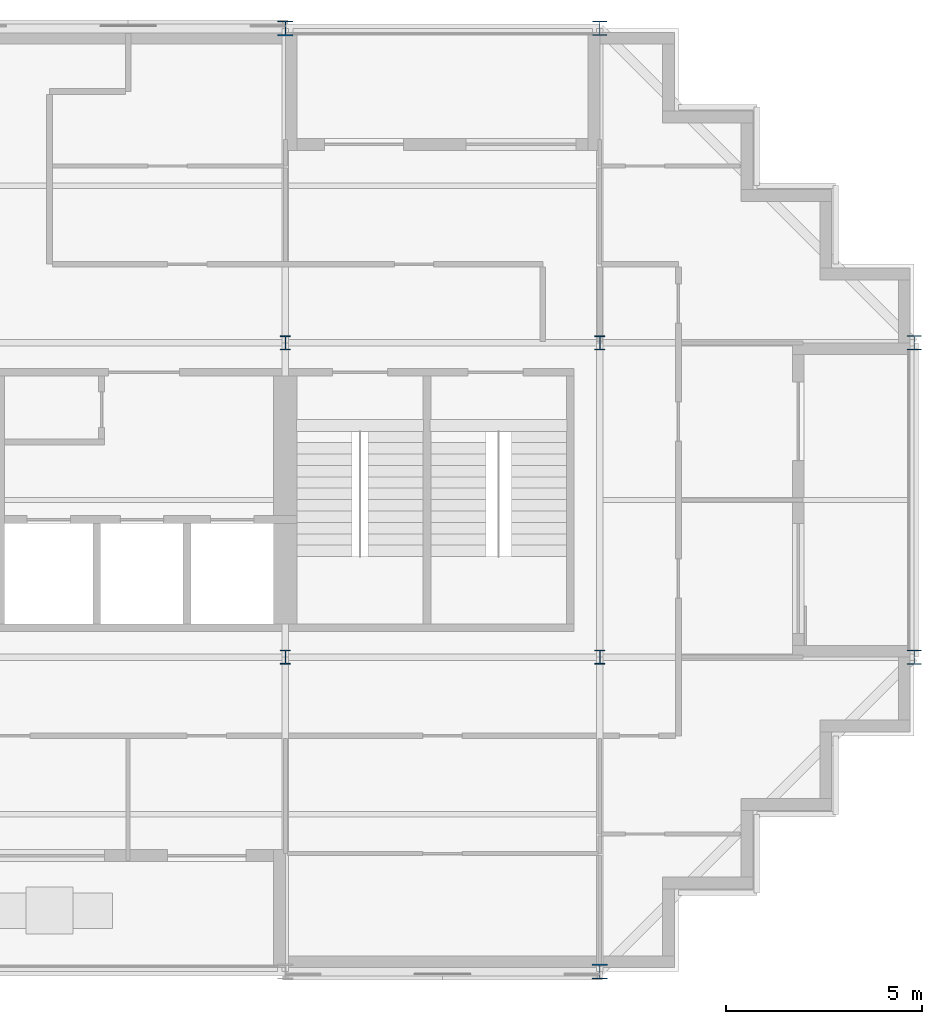
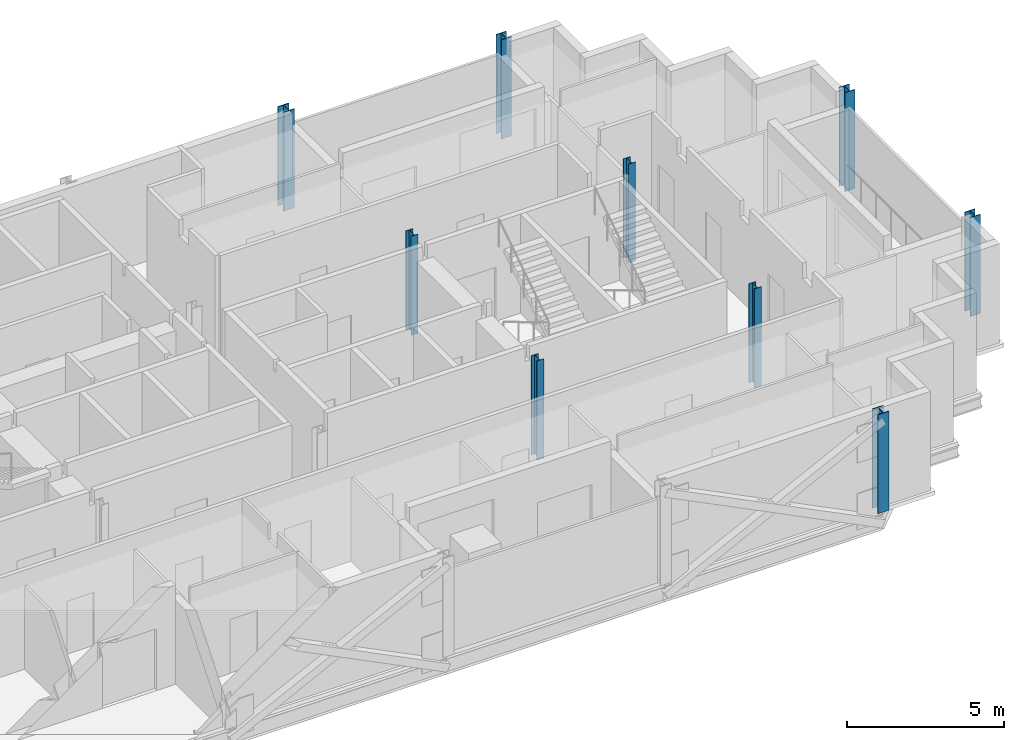
# One storey, part 2 of 10: 9 columns.
"""IFC4 building model written with IfcOpenShell, lengths in metres."""

from ifc_helpers import new_model, si_unit, direction, frame, origin, origin_2d, place, context, subcontext, project, spatial, i_section, extrude, material, material_profile, profile_set, type_object, element, save


model = new_model("IFC4")

# Units and contexts
model_context = context("Model", 3, precision=1e-05, world=origin(), true_north=direction((0.0, 1.0)))
body_context = subcontext(model_context, "Body", "Model", "MODEL_VIEW")
ifc_project = project(units=[si_unit("LENGTHUNIT", "METRE"), si_unit("AREAUNIT", "SQUARE_METRE"), si_unit("VOLUMEUNIT", "CUBIC_METRE"), si_unit("PLANEANGLEUNIT", "RADIAN"), si_unit("MASSUNIT", "GRAM", prefix="KILO")], contexts=[model_context])

# Site, building, storey
site_placement = place(None, origin())
site = spatial("IfcSite", under=ifc_project, at=site_placement, CompositionType="ELEMENT")
building_placement = place(site_placement, origin())
building = spatial("IfcBuilding", under=site, at=building_placement, Name="Immortelle Media Tower", CompositionType="ELEMENT")
storey_placement = place(building_placement, frame((0.0, 0.0, 283.0)))
storey = spatial("IfcBuildingStorey", under=building, at=storey_placement, Name="L62", CompositionType="ELEMENT", Elevation=283.0)

# Columns
ifc_material = material(Name="Steel ASTM A992 Gr 50", Category="steel")
ifc_material_profile_1 = material_profile(ifc_material, i_section(OverallWidth=0.373046875, OverallDepth=0.367919921875, WebThickness=0.014892578125, FlangeThickness=0.02392578125, at=origin_2d()), Name="W14x120")
ifc_profile_set_1 = profile_set([ifc_material_profile_1], Name="Steel ASTM A992 Gr 50")
column_type_1 = type_object("IfcColumnType", Name="W14x120 column", PredefinedType="COLUMN", material=ifc_profile_set_1)
for number, where, z_axis, x_axis, name in (
    (1, (40.0, 24.0, 0.0), (0.0, 0.0, 1.0), (1.0, 0.0, 0.0), "Column 6/D"),
    (2, (48.0, 8.0, 0.0), (0.0, 0.0, 1.0), (1.0, 0.0, 0.0), "Column 7/B"),
    (3, (48.0, 16.0, 0.0), (0.0, 0.0, 1.0), (1.0, 0.0, 0.0), "Column 7/C"),
):
    element("IfcColumn", number, at=place(storey_placement, frame(where, z_axis=z_axis, x_axis=x_axis)), inside=storey, type_object=column_type_1, Name=name, PredefinedType="COLUMN", context=body_context, shape_type="SweptSolid", body=[
        extrude(i_section(OverallWidth=0.373046875, OverallDepth=0.367919921875, WebThickness=0.014892578125, FlangeThickness=0.02392578125, at=origin_2d()), origin(), (0.0, 0.0, 1.0), 3.85009765625),
    ])
ifc_material_profile_2 = material_profile(ifc_material, i_section(OverallWidth=0.39892578125, OverallDepth=0.385986328125, WebThickness=0.02099609375, FlangeThickness=0.032958984375, at=origin_2d()), Name="W14x176")
ifc_profile_set_2 = profile_set([ifc_material_profile_2], Name="Steel ASTM A992 Gr 50")
column_type_2 = type_object("IfcColumnType", Name="W14x176 column", PredefinedType="COLUMN", material=ifc_profile_set_2)
for number, where, z_axis, x_axis, name in (
    (4, (32.0, 24.0, 0.0), (0.0, 0.0, 1.0), (1.0, 0.0, 0.0), "Column 5/D"),
    (5, (40.0, 0.0, 0.0), (0.0, 0.0, 1.0), (1.0, 0.0, 0.0), "Column 6/A"),
):
    element("IfcColumn", number, at=place(storey_placement, frame(where, z_axis=z_axis, x_axis=x_axis)), inside=storey, type_object=column_type_2, Name=name, PredefinedType="COLUMN", context=body_context, shape_type="SweptSolid", body=[
        extrude(i_section(OverallWidth=0.39892578125, OverallDepth=0.385986328125, WebThickness=0.02099609375, FlangeThickness=0.032958984375, at=origin_2d()), origin(), (0.0, 0.0, 1.0), 3.85009765625),
    ])
ifc_material_profile_3 = material_profile(ifc_material, i_section(OverallWidth=0.257080078125, OverallDepth=0.363037109375, WebThickness=0.012939453125, FlangeThickness=0.02197265625, at=origin_2d()), Name="W14x82")
ifc_profile_set_3 = profile_set([ifc_material_profile_3], Name="Steel ASTM A992 Gr 50")
column_type_3 = type_object("IfcColumnType", Name="W14x82 column", PredefinedType="COLUMN", material=ifc_profile_set_3)
for number, where, z_axis, x_axis, name in (
    (6, (32.0, 8.0, 0.0), (0.0, 0.0, 1.0), (1.0, 0.0, 0.0), "Column 5/B"),
    (7, (32.0, 16.0, 0.0), (0.0, 0.0, 1.0), (1.0, 0.0, 0.0), "Column 5/C"),
    (8, (40.0, 8.0, 0.0), (0.0, 0.0, 1.0), (1.0, 0.0, 0.0), "Column 6/B"),
    (9, (40.0, 16.0, 0.0), (0.0, 0.0, 1.0), (1.0, 0.0, 0.0), "Column 6/C"),
):
    element("IfcColumn", number, at=place(storey_placement, frame(where, z_axis=z_axis, x_axis=x_axis)), inside=storey, type_object=column_type_3, Name=name, PredefinedType="COLUMN", context=body_context, shape_type="SweptSolid", body=[
        extrude(i_section(OverallWidth=0.257080078125, OverallDepth=0.363037109375, WebThickness=0.012939453125, FlangeThickness=0.02197265625, at=origin_2d()), origin(), (0.0, 0.0, 1.0), 3.85009765625),
    ])

save(model, "model.ifc")
